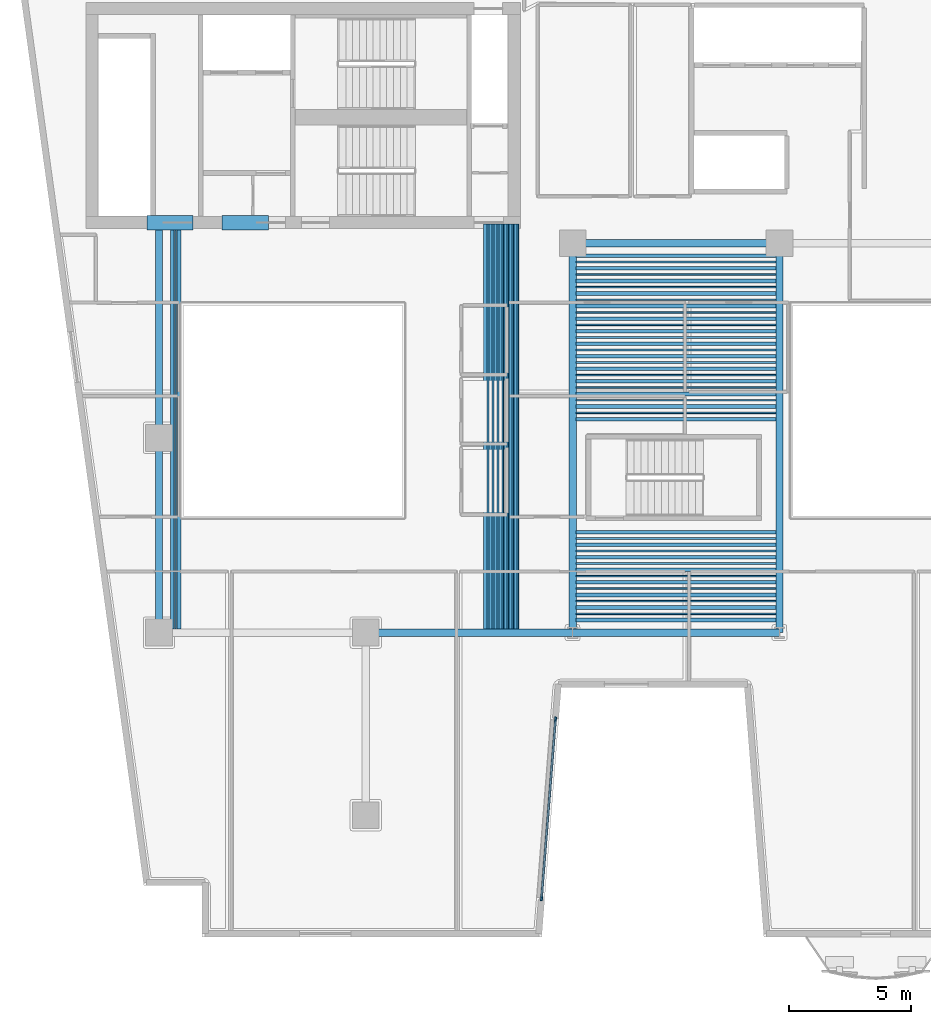
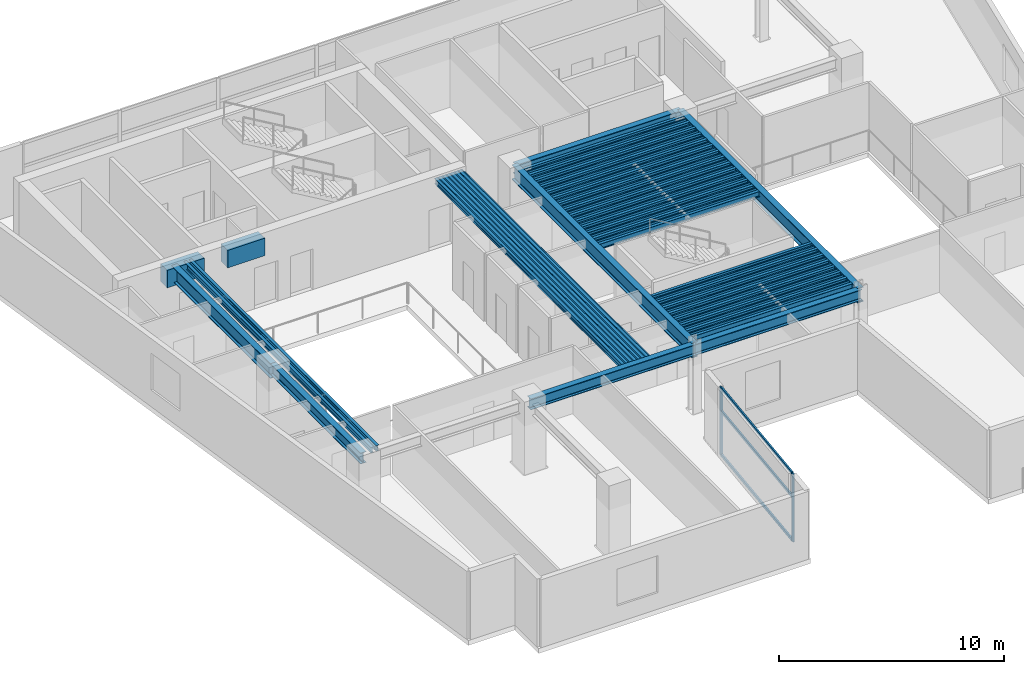
# One storey, part 2 of 13: 68 beams, 5 members, 1 element without a shape of its own.
"""IFC4 building model written with IfcOpenShell, lengths in metres."""

import ifcopenshell
import ifcopenshell.guid

model = None  # the IFC model being written
_history = None  # IfcOwnerHistory: only IFC2X3 demands one
_inside = {}  # id of a spatial element -> (the spatial element, [elements in it])
_under = {}  # id of a project, library or spatial element -> (it, [spatial elements below it])
_declared = {}  # id of a project -> (the project, [libraries it declares])
_typed = {}  # id of a type object -> (the type object, [elements of that type])
_made_of = {}  # id of a material, layer set ... -> (it, [elements and type objects made of it])


def new_model(schema):
    """Start an empty IFC model of exactly this schema.

    Asked for "IFC4X3", IfcOpenShell would pick the latest addendum, in which some entities
    have other attributes; the version numbers below select the first issue.
    IFC2X3 requires an IfcOwnerHistory on every rooted entity: one is made here for all.
    """
    global model, _history
    if schema == "IFC4X3":
        model = ifcopenshell.file(schema_version=(4, 3, 0, 0))
    else:
        model = ifcopenshell.file(schema=schema)
    _inside.clear()
    _under.clear()
    _declared.clear()
    _typed.clear()
    _made_of.clear()
    _history = None
    if model.schema == "IFC2X3":
        org = make("IfcOrganization", Name="unknown")
        user = make(
            "IfcPersonAndOrganization",
            ThePerson=make("IfcPerson", FamilyName="unknown"),
            TheOrganization=org,
        )
        app = make(
            "IfcApplication",
            ApplicationDeveloper=org,
            Version="unknown",
            ApplicationFullName="unknown",
            ApplicationIdentifier="unknown",
        )
        _history = make(
            "IfcOwnerHistory",
            OwningUser=user,
            OwningApplication=app,
            ChangeAction="ADDED",
            CreationDate=0,
        )
    return model


def make(cls, **values):
    """One entity of the class cls with the attributes given. An attribute that is None is left unset."""
    return model.create_entity(
        cls, **{name: value for name, value in values.items() if value is not None}
    )


def rooted(cls, **values):
    """An entity with a GlobalId (a new one), such as an element, a storey or a relation."""
    return make(cls, GlobalId=ifcopenshell.guid.new(), OwnerHistory=_history, **values)


def si_unit(unit_type, name, prefix=None):
    """IfcSIUnit, for example si_unit("LENGTHUNIT", "METRE", prefix="MILLI")."""
    return make("IfcSIUnit", UnitType=unit_type, Prefix=prefix, Name=name)


def assignment(units):
    """IfcUnitAssignment: the units of a project."""
    return None if units is None else make("IfcUnitAssignment", Units=units)


def point(xyz):
    """IfcCartesianPoint."""
    return None if xyz is None else make("IfcCartesianPoint", Coordinates=xyz)


def direction(xyz):
    """IfcDirection."""
    return None if xyz is None else make("IfcDirection", DirectionRatios=xyz)


def frame(location, z_axis=None, x_axis=None):
    """IfcAxis2Placement3D, a coordinate frame: its origin and axes. An axis left out is left unset."""
    return make(
        "IfcAxis2Placement3D",
        Location=point(location),
        Axis=direction(z_axis),
        RefDirection=direction(x_axis),
    )


def frame_2d(location, x_axis=None):
    """IfcAxis2Placement2D, a coordinate frame in the plane: its origin and x axis."""
    return make(
        "IfcAxis2Placement2D", Location=point(location), RefDirection=direction(x_axis)
    )


def origin():
    """The frame at (0, 0, 0) with its axes left unset."""
    return frame((0.0, 0.0, 0.0))


def origin_2d():
    """The frame at (0, 0) in the plane with its x axis left unset."""
    return frame_2d((0.0, 0.0))


def place(relative_to, where):
    """IfcLocalPlacement: puts the frame where relative to a parent placement (None: the world)."""
    return make(
        "IfcLocalPlacement", PlacementRelTo=relative_to, RelativePlacement=where
    )


def context(
    kind, dimensions, precision=None, world=None, true_north=None, identifier=None
):
    """IfcGeometricRepresentationContext, for example the 3D "Model" context."""
    return make(
        "IfcGeometricRepresentationContext",
        ContextIdentifier=identifier,
        ContextType=kind,
        CoordinateSpaceDimension=dimensions,
        Precision=precision,
        WorldCoordinateSystem=world,
        TrueNorth=true_north,
    )


def subcontext(parent, identifier, kind, view, scale=None):
    """IfcGeometricRepresentationSubContext, for example "Body" below "Model"."""
    return make(
        "IfcGeometricRepresentationSubContext",
        ContextIdentifier=identifier,
        ContextType=kind,
        ParentContext=parent,
        TargetScale=scale,
        TargetView=view,
    )


def project(units=None, contexts=None):
    """IfcProject with its units and contexts."""
    return rooted(
        "IfcProject",
        Name="project",
        RepresentationContexts=contexts,
        UnitsInContext=assignment(units),
    )


def spatial(cls, under=None, at=None, **own):
    """A site, building, storey or space (cls), placed at a placement, below another one or the project."""
    s = rooted(cls, ObjectPlacement=at, **own)
    if under is not None:
        _under.setdefault(under.id(), (under, []))[1].append(s)
    return s


def profile(cls, at=None, kind="AREA", **sizes):
    """A parametric profile (cls). Its sizes go by their IFC names, for example OverallWidth=200.0."""
    return make(cls, ProfileType=kind, Position=at, **sizes)


def rectangle(**sizes):
    """IfcRectangleProfileDef."""
    return profile("IfcRectangleProfileDef", **sizes)


def hollow_rectangle(**sizes):
    """IfcRectangleHollowProfileDef."""
    return profile("IfcRectangleHollowProfileDef", **sizes)


def i_section(**sizes):
    """IfcIShapeProfileDef."""
    return profile("IfcIShapeProfileDef", **sizes)


def extrude(swept, where, along, depth):
    """IfcExtrudedAreaSolid: the profile swept, set in the frame where, extruded along a direction by depth."""
    return make(
        "IfcExtrudedAreaSolid",
        SweptArea=swept,
        Position=where,
        ExtrudedDirection=direction(along),
        Depth=depth,
    )


def shape(context_of_items, identifier, shape_type, items):
    """IfcShapeRepresentation: the items that make up one representation, for example the "Body"."""
    return make(
        "IfcShapeRepresentation",
        ContextOfItems=context_of_items,
        RepresentationIdentifier=identifier,
        RepresentationType=shape_type,
        Items=items,
    )


def material(Name=None, Category=None):
    """IfcMaterial."""
    return make("IfcMaterial", Name=Name, Category=Category)


def layer(
    of_material, thickness, ventilated=None, Name=None, Category=None, Priority=None
):
    """IfcMaterialLayer: one layer of a wall or slab, of a material (None: an air gap)."""
    return make(
        "IfcMaterialLayer",
        Material=of_material,
        LayerThickness=thickness,
        IsVentilated=ventilated,
        Name=Name,
        Category=Category,
        Priority=Priority,
    )


def layer_set(layers, Name=None):
    """IfcMaterialLayerSet."""
    return make("IfcMaterialLayerSet", MaterialLayers=layers, LayerSetName=Name)


def material_profile(
    of_material, cross_section, Name=None, Category=None, Priority=None
):
    """IfcMaterialProfile: a cross section and its material."""
    return make(
        "IfcMaterialProfile",
        Name=Name,
        Material=of_material,
        Profile=cross_section,
        Priority=Priority,
        Category=Category,
    )


def profile_set(profiles, Name=None, composite=None):
    """IfcMaterialProfileSet."""
    return make(
        "IfcMaterialProfileSet",
        Name=Name,
        MaterialProfiles=profiles,
        CompositeProfile=composite,
    )


def made_of(thing, what):
    """Note that an element or type object is made of a material, layer set ...; save() writes the relation."""
    if what is not None:
        _made_of.setdefault(what.id(), (what, []))[1].append(thing)
    return thing


def type_object(cls, material=None, **own):
    """A type object (cls), such as IfcWallType, which elements share."""
    return made_of(rooted(cls, **own), material)


def element(
    cls,
    number,
    at=None,
    inside=None,
    cuts=None,
    type_object=None,
    material=None,
    context=None,
    identifier="Body",
    shape_type=None,
    held_by="IfcProductDefinitionShape",
    body=None,
    shapes=None,
    **own,
):
    """One element of the class cls, such as IfcWall. Its Tag is "e" and its number.

    at: its placement. inside: the storey or other place that contains it. cuts: it is an
    opening in that element (IfcRelVoidsElement). A single representation is given by context,
    identifier, shape_type and body (its items); several are given by shapes. held_by: the class
    of the entity that holds the representations. save() writes the other relations.
    """
    e = rooted(cls, Tag="e%d" % number, ObjectPlacement=at, **own)
    if body is not None:
        shapes = [shape(context, identifier, shape_type, body)]
    if shapes is not None:
        e.Representation = make(held_by, Representations=shapes)
    if inside is not None:
        _inside.setdefault(inside.id(), (inside, []))[1].append(e)
    if cuts is not None:
        rooted(
            "IfcRelVoidsElement", RelatingBuildingElement=cuts, RelatedOpeningElement=e
        )
    if type_object is not None:
        _typed.setdefault(type_object.id(), (type_object, []))[1].append(e)
    return made_of(e, material)


def aggregate(whole, parts):
    """IfcRelAggregates: a whole, such as a stair, and the parts it consists of."""
    return rooted("IfcRelAggregates", RelatingObject=whole, RelatedObjects=parts)


def save(model, path):
    """Write the relations noted so far, then the file.

    IfcRelAggregates (storeys below a building ...), IfcRelContainedInSpatialStructure (elements
    in a storey), IfcRelDefinesByType, IfcRelAssociatesMaterial and IfcRelDeclares: one each for
    every whole, place, type object, material and project.
    """
    for whole, parts in _under.values():
        aggregate(whole, parts)
    for where, things in _inside.values():
        rooted(
            "IfcRelContainedInSpatialStructure",
            RelatedElements=things,
            RelatingStructure=where,
        )
    for kind, things in _typed.values():
        rooted("IfcRelDefinesByType", RelatedObjects=things, RelatingType=kind)
    for what, things in _made_of.values():
        rooted("IfcRelAssociatesMaterial", RelatedObjects=things, RelatingMaterial=what)
    for by, libraries in _declared.values():
        rooted("IfcRelDeclares", RelatingContext=by, RelatedDefinitions=libraries)
    model.write(path)


model = new_model("IFC4")

# Units and contexts
model_context = context("Model", 3, precision=1e-05, world=origin(), true_north=direction((0.0, 1.0)))
body_context = subcontext(model_context, "Body", "Model", "MODEL_VIEW")
ifc_project = project(units=[si_unit("LENGTHUNIT", "METRE"), si_unit("AREAUNIT", "SQUARE_METRE"), si_unit("VOLUMEUNIT", "CUBIC_METRE"), si_unit("PLANEANGLEUNIT", "RADIAN"), si_unit("MASSUNIT", "GRAM", prefix="KILO")], contexts=[model_context])

# Site, building, storey
site_placement = place(None, origin())
site = spatial("IfcSite", under=ifc_project, at=site_placement, CompositionType="ELEMENT")
building_placement = place(site_placement, origin())
building = spatial("IfcBuilding", under=site, at=building_placement, Name="Caeloran Harvest Quay", CompositionType="ELEMENT")
storey_placement = place(building_placement, frame((0.0, 0.0, 158.800048828125)))
storey = spatial("IfcBuildingStorey", under=building, at=storey_placement, Name="L37", CompositionType="ELEMENT", Elevation=158.800048828125)

# Beams
ifc_material_1 = material(Name="Concrete C60/75", Category="concrete")
ifc_material_profile_1 = material_profile(ifc_material_1, rectangle(XDim=0.60009765625, YDim=0.949951171875, at=origin_2d()), Name="RC 600x950")
ifc_profile_set_1 = profile_set([ifc_material_profile_1], Name="Concrete C60/75")
beam_type_1 = type_object("IfcBeamType", Name="BM-CB-2-RC_600x950", PredefinedType="LINTEL", material=ifc_profile_set_1)
for number, where, z_axis, x_axis, name in (
    (1, (8.0, 31.85009765625, 3.21484375), (1.0, 0.0, 0.0), (0.0, 1.0, 0.0), "L37 Core Coupling Beam 1"),
    (2, (11.10009765625, 31.85009765625, 3.21484375), (1.0, 0.0, 0.0), (0.0, 1.0, 0.0), "L37 Core Coupling Beam 2"),
):
    element("IfcBeam", number, at=place(storey_placement, frame(where, z_axis=z_axis, x_axis=x_axis)), inside=storey, type_object=beam_type_1, Name=name, PredefinedType="LINTEL", context=body_context, shape_type="SweptSolid", body=[
        extrude(rectangle(XDim=0.60009765625, YDim=0.949951171875, at=origin_2d()), origin(), (0.0, 0.0, 1.0), 1.89990234375),
    ])
ifc_material_2 = material(Name="Steel S355J2", Category="steel")
ifc_material_profile_2 = material_profile(ifc_material_2, i_section(OverallWidth=0.300048828125, OverallDepth=0.800048828125, WebThickness=0.017578125, FlangeThickness=0.032958984375, FilletRadius=0.030029296875, at=origin_2d()), Name="HE 800 B")
ifc_profile_set_2 = profile_set([ifc_material_profile_2], Name="Steel S355J2")
beam_type_2 = type_object("IfcBeamType", Name="BM-PG-1-HE_800_B", PredefinedType="BEAM", material=ifc_profile_set_2)
beam_1_placement = place(storey_placement, frame((8.5, 23.0, 3.2900390625), z_axis=(0.0, 1.0, 0.0), x_axis=(-1.0, 0.0, 0.0)))
element("IfcBeam", 3, at=beam_1_placement, inside=storey, type_object=beam_type_2, Name="L37 Core South Tie Girder X=8.5", PredefinedType="BEAM", context=body_context, shape_type="SweptSolid", body=[
    extrude(i_section(OverallWidth=0.300048828125, OverallDepth=0.800048828125, WebThickness=0.017578125, FlangeThickness=0.032958984375, FilletRadius=0.030029296875, at=origin_2d()), origin(), (0.0, 0.0, 1.0), 8.800048828125),
])
for number, where, z_axis, x_axis, name in (
    (4, (25.5, 15.0, 3.2900390625), (0.0, 1.0, 0.0), (-1.0, 0.0, 0.0), "L37 Primary North-South Girder X=25.5"),
    (5, (34.0, 15.0, 3.2900390625), (0.0, 1.0, 0.0), (-1.0, 0.0, 0.0), "L37 Primary North-South Girder X=34.0"),
):
    element("IfcBeam", number, at=place(storey_placement, frame(where, z_axis=z_axis, x_axis=x_axis)), inside=storey, type_object=beam_type_2, Name=name, PredefinedType="BEAM", context=body_context, shape_type="SweptSolid", body=[
        extrude(i_section(OverallWidth=0.300048828125, OverallDepth=0.800048828125, WebThickness=0.017578125, FlangeThickness=0.032958984375, FilletRadius=0.030029296875, at=origin_2d()), origin(), (0.0, 0.0, 1.0), 16.0),
    ])
ifc_material_profile_3 = material_profile(ifc_material_2, i_section(OverallWidth=0.300048828125, OverallDepth=0.60009765625, WebThickness=0.015380859375, FlangeThickness=0.030029296875, FilletRadius=0.027099609375, at=origin_2d()), Name="HE 600 B")
ifc_profile_set_3 = profile_set([ifc_material_profile_3], Name="Steel S355J2")
beam_type_3 = type_object("IfcBeamType", Name="BM-PG-3-HE_600_B", PredefinedType="BEAM", material=ifc_profile_set_3)
for number, where, z_axis, x_axis, name in (
    (6, (17.0, 15.0, 3.389892578125), (1.0, 0.0, 0.0), (0.0, 1.0, 0.0), "L37 Primary East-West Girder Y=15.0"),
    (7, (25.5, 15.0, 3.389892578125), (1.0, 0.0, 0.0), (0.0, 1.0, 0.0), "L37 Primary East-West Girder Y=15.0"),
    (8, (25.5, 31.0, 3.389892578125), (1.0, 0.0, 0.0), (0.0, 1.0, 0.0), "L37 Primary East-West Girder Y=31.0"),
):
    element("IfcBeam", number, at=place(storey_placement, frame(where, z_axis=z_axis, x_axis=x_axis)), inside=storey, type_object=beam_type_3, Name=name, PredefinedType="BEAM", context=body_context, shape_type="SweptSolid", body=[
        extrude(i_section(OverallWidth=0.300048828125, OverallDepth=0.60009765625, WebThickness=0.015380859375, FlangeThickness=0.030029296875, FilletRadius=0.027099609375, at=origin_2d()), origin(), (0.0, 0.0, 1.0), 8.5),
    ])
beam_2_placement = place(storey_placement, frame((8.5, 15.0, 3.389892578125), z_axis=(0.0, 1.0, 0.0), x_axis=(-1.0, 0.0, 0.0)))
element("IfcBeam", 9, at=beam_2_placement, inside=storey, type_object=beam_type_3, Name="L37 Primary North-South Girder X=8.5", PredefinedType="BEAM", context=body_context, shape_type="SweptSolid", body=[
    extrude(i_section(OverallWidth=0.300048828125, OverallDepth=0.60009765625, WebThickness=0.015380859375, FlangeThickness=0.030029296875, FilletRadius=0.027099609375, at=origin_2d()), origin(), (0.0, 0.0, 1.0), 8.0),
])
ifc_material_profile_4 = material_profile(ifc_material_2, i_section(OverallWidth=0.14990234375, OverallDepth=0.300048828125, WebThickness=0.007080078125, FlangeThickness=0.0107421875, FilletRadius=0.014892578125, at=origin_2d()), Name="IPE 300")
ifc_profile_set_4 = profile_set([ifc_material_profile_4], Name="Steel S355J2")
beam_type_4 = type_object("IfcBeamType", Name="BM-SB-6-IPE_300", PredefinedType="JOIST", material=ifc_profile_set_4)
for number, where, z_axis, x_axis, name in (
    (10, (9.04833984375, 15.14501953125, 3.5400390625), (0.0, 1.0, 0.0), (-1.0, 0.0, 0.0), "L37 Secondary Composite Joist"),
    (11, (9.322509765625, 15.14501953125, 3.5400390625), (0.0, 1.0, 0.0), (-1.0, 0.0, 0.0), "L37 Secondary Composite Joist"),
    (12, (21.916015625, 15.14501953125, 3.5400390625), (0.0, 1.0, 0.0), (-1.0, 0.0, 0.0), "L37 Secondary Composite Joist"),
    (13, (22.12109375, 15.14501953125, 3.5400390625), (0.0, 1.0, 0.0), (-1.0, 0.0, 0.0), "L37 Secondary Composite Joist"),
    (14, (22.32568359375, 15.14501953125, 3.5400390625), (0.0, 1.0, 0.0), (-1.0, 0.0, 0.0), "L37 Secondary Composite Joist"),
    (15, (22.530517578125, 15.14501953125, 3.5400390625), (0.0, 1.0, 0.0), (-1.0, 0.0, 0.0), "L37 Secondary Composite Joist"),
    (16, (22.735595703125, 15.14501953125, 3.5400390625), (0.0, 1.0, 0.0), (-1.0, 0.0, 0.0), "L37 Secondary Composite Joist"),
    (17, (22.940185546875, 15.14501953125, 3.5400390625), (0.0, 1.0, 0.0), (-1.0, 0.0, 0.0), "L37 Secondary Composite Joist"),
    (18, (23.145263671875, 15.14501953125, 3.5400390625), (0.0, 1.0, 0.0), (-1.0, 0.0, 0.0), "L37 Secondary Composite Joist"),
):
    element("IfcBeam", number, at=place(storey_placement, frame(where, z_axis=z_axis, x_axis=x_axis)), inside=storey, type_object=beam_type_4, Name=name, PredefinedType="JOIST", context=body_context, shape_type="SweptSolid", body=[
        extrude(i_section(OverallWidth=0.14990234375, OverallDepth=0.300048828125, WebThickness=0.007080078125, FlangeThickness=0.0107421875, FilletRadius=0.014892578125, at=origin_2d()), origin(), (0.0, 0.0, 1.0), 16.655029296875),
    ])
for number, where, z_axis, x_axis, name in (
    (19, (25.64501953125, 15.51611328125, 3.5400390625), (1.0, 0.0, 0.0), (0.0, 1.0, 0.0), "L37 Secondary East-West Composite Joist"),
    (20, (25.64501953125, 16.0322265625, 3.5400390625), (1.0, 0.0, 0.0), (0.0, 1.0, 0.0), "L37 Secondary East-West Composite Joist"),
    (21, (25.64501953125, 16.54833984375, 3.5400390625), (1.0, 0.0, 0.0), (0.0, 1.0, 0.0), "L37 Secondary East-West Composite Joist"),
    (22, (25.64501953125, 17.064453125, 3.5400390625), (1.0, 0.0, 0.0), (0.0, 1.0, 0.0), "L37 Secondary East-West Composite Joist"),
    (23, (25.64501953125, 17.58056640625, 3.5400390625), (1.0, 0.0, 0.0), (0.0, 1.0, 0.0), "L37 Secondary East-West Composite Joist"),
    (24, (25.64501953125, 18.0966796875, 3.5400390625), (1.0, 0.0, 0.0), (0.0, 1.0, 0.0), "L37 Secondary East-West Composite Joist"),
    (25, (25.64501953125, 18.61279296875, 3.5400390625), (1.0, 0.0, 0.0), (0.0, 1.0, 0.0), "L37 Secondary East-West Composite Joist"),
    (26, (25.64501953125, 19.12890625, 3.5400390625), (1.0, 0.0, 0.0), (0.0, 1.0, 0.0), "L37 Secondary East-West Composite Joist"),
    (27, (25.64501953125, 23.774169921875, 3.5400390625), (1.0, 0.0, 0.0), (0.0, 1.0, 0.0), "L37 Secondary East-West Composite Joist"),
    (28, (25.64501953125, 24.290283203125, 3.5400390625), (1.0, 0.0, 0.0), (0.0, 1.0, 0.0), "L37 Secondary East-West Composite Joist"),
    (29, (25.64501953125, 24.806396484375, 3.5400390625), (1.0, 0.0, 0.0), (0.0, 1.0, 0.0), "L37 Secondary East-West Composite Joist"),
    (30, (25.64501953125, 25.322509765625, 3.5400390625), (1.0, 0.0, 0.0), (0.0, 1.0, 0.0), "L37 Secondary East-West Composite Joist"),
    (31, (25.64501953125, 25.838623046875, 3.5400390625), (1.0, 0.0, 0.0), (0.0, 1.0, 0.0), "L37 Secondary East-West Composite Joist"),
    (32, (25.64501953125, 26.354736328125, 3.5400390625), (1.0, 0.0, 0.0), (0.0, 1.0, 0.0), "L37 Secondary East-West Composite Joist"),
    (33, (25.64501953125, 26.87109375, 3.5400390625), (1.0, 0.0, 0.0), (0.0, 1.0, 0.0), "L37 Secondary East-West Composite Joist"),
    (34, (25.64501953125, 27.38720703125, 3.5400390625), (1.0, 0.0, 0.0), (0.0, 1.0, 0.0), "L37 Secondary East-West Composite Joist"),
    (35, (25.64501953125, 27.9033203125, 3.5400390625), (1.0, 0.0, 0.0), (0.0, 1.0, 0.0), "L37 Secondary East-West Composite Joist"),
    (36, (25.64501953125, 28.41943359375, 3.5400390625), (1.0, 0.0, 0.0), (0.0, 1.0, 0.0), "L37 Secondary East-West Composite Joist"),
    (37, (25.64501953125, 28.935546875, 3.5400390625), (1.0, 0.0, 0.0), (0.0, 1.0, 0.0), "L37 Secondary East-West Composite Joist"),
    (38, (25.64501953125, 29.45166015625, 3.5400390625), (1.0, 0.0, 0.0), (0.0, 1.0, 0.0), "L37 Secondary East-West Composite Joist"),
    (39, (25.64501953125, 29.9677734375, 3.5400390625), (1.0, 0.0, 0.0), (0.0, 1.0, 0.0), "L37 Secondary East-West Composite Joist"),
    (40, (25.64501953125, 30.48388671875, 3.5400390625), (1.0, 0.0, 0.0), (0.0, 1.0, 0.0), "L37 Secondary East-West Composite Joist"),
):
    element("IfcBeam", number, at=place(storey_placement, frame(where, z_axis=z_axis, x_axis=x_axis)), inside=storey, type_object=beam_type_4, Name=name, PredefinedType="JOIST", context=body_context, shape_type="SweptSolid", body=[
        extrude(i_section(OverallWidth=0.14990234375, OverallDepth=0.300048828125, WebThickness=0.007080078125, FlangeThickness=0.0107421875, FilletRadius=0.014892578125, at=origin_2d()), origin(), (0.0, 0.0, 1.0), 8.2099609375),
    ])
ifc_material_profile_5 = material_profile(ifc_material_2, hollow_rectangle(XDim=0.080078125, YDim=0.199951171875, WallThickness=0.006103515625, InnerFilletRadius=0.006103515625, OuterFilletRadius=0.009033203125, at=origin_2d()), Name="RHS 200x80x6")
ifc_profile_set_5 = profile_set([ifc_material_profile_5], Name="Steel S355J2")
beam_type_5 = type_object("IfcBeamType", Name="BM-SB-7-RHS_200x80x6", PredefinedType="JOIST", material=ifc_profile_set_5)
for number, where, z_axis, x_axis, name in (
    (41, (9.185546875, 15.14501953125, 3.58984375), (0.0, 1.0, 0.0), (-1.0, 0.0, 0.0), "L37 Secondary Composite Joist"),
    (42, (22.0185546875, 15.14501953125, 3.58984375), (0.0, 1.0, 0.0), (-1.0, 0.0, 0.0), "L37 Secondary Composite Joist"),
    (43, (22.223388671875, 15.14501953125, 3.58984375), (0.0, 1.0, 0.0), (-1.0, 0.0, 0.0), "L37 Secondary Composite Joist"),
    (44, (22.42822265625, 15.14501953125, 3.58984375), (0.0, 1.0, 0.0), (-1.0, 0.0, 0.0), "L37 Secondary Composite Joist"),
    (45, (22.633056640625, 15.14501953125, 3.58984375), (0.0, 1.0, 0.0), (-1.0, 0.0, 0.0), "L37 Secondary Composite Joist"),
    (46, (22.837890625, 15.14501953125, 3.58984375), (0.0, 1.0, 0.0), (-1.0, 0.0, 0.0), "L37 Secondary Composite Joist"),
    (47, (23.042724609375, 15.14501953125, 3.58984375), (0.0, 1.0, 0.0), (-1.0, 0.0, 0.0), "L37 Secondary Composite Joist"),
    (48, (23.24755859375, 15.14501953125, 3.58984375), (0.0, 1.0, 0.0), (-1.0, 0.0, 0.0), "L37 Secondary Composite Joist"),
):
    element("IfcBeam", number, at=place(storey_placement, frame(where, z_axis=z_axis, x_axis=x_axis)), inside=storey, type_object=beam_type_5, Name=name, PredefinedType="JOIST", context=body_context, shape_type="SweptSolid", body=[
        extrude(hollow_rectangle(XDim=0.080078125, YDim=0.199951171875, WallThickness=0.006103515625, InnerFilletRadius=0.006103515625, OuterFilletRadius=0.009033203125, at=origin_2d()), origin(), (0.0, 0.0, 1.0), 16.655029296875),
    ])
for number, where, z_axis, x_axis, name in (
    (49, (25.64501953125, 15.774169921875, 3.58984375), (1.0, 0.0, 0.0), (0.0, 1.0, 0.0), "L37 Secondary East-West Composite Joist"),
    (50, (25.64501953125, 16.290283203125, 3.58984375), (1.0, 0.0, 0.0), (0.0, 1.0, 0.0), "L37 Secondary East-West Composite Joist"),
    (51, (25.64501953125, 16.806396484375, 3.58984375), (1.0, 0.0, 0.0), (0.0, 1.0, 0.0), "L37 Secondary East-West Composite Joist"),
    (52, (25.64501953125, 17.322509765625, 3.58984375), (1.0, 0.0, 0.0), (0.0, 1.0, 0.0), "L37 Secondary East-West Composite Joist"),
    (53, (25.64501953125, 17.838623046875, 3.58984375), (1.0, 0.0, 0.0), (0.0, 1.0, 0.0), "L37 Secondary East-West Composite Joist"),
    (54, (25.64501953125, 18.354736328125, 3.58984375), (1.0, 0.0, 0.0), (0.0, 1.0, 0.0), "L37 Secondary East-West Composite Joist"),
    (55, (25.64501953125, 18.87109375, 3.58984375), (1.0, 0.0, 0.0), (0.0, 1.0, 0.0), "L37 Secondary East-West Composite Joist"),
    (56, (25.64501953125, 24.0322265625, 3.58984375), (1.0, 0.0, 0.0), (0.0, 1.0, 0.0), "L37 Secondary East-West Composite Joist"),
    (57, (25.64501953125, 24.54833984375, 3.58984375), (1.0, 0.0, 0.0), (0.0, 1.0, 0.0), "L37 Secondary East-West Composite Joist"),
    (58, (25.64501953125, 25.064453125, 3.58984375), (1.0, 0.0, 0.0), (0.0, 1.0, 0.0), "L37 Secondary East-West Composite Joist"),
    (59, (25.64501953125, 25.58056640625, 3.58984375), (1.0, 0.0, 0.0), (0.0, 1.0, 0.0), "L37 Secondary East-West Composite Joist"),
    (60, (25.64501953125, 26.0966796875, 3.58984375), (1.0, 0.0, 0.0), (0.0, 1.0, 0.0), "L37 Secondary East-West Composite Joist"),
    (61, (25.64501953125, 26.61279296875, 3.58984375), (1.0, 0.0, 0.0), (0.0, 1.0, 0.0), "L37 Secondary East-West Composite Joist"),
    (62, (25.64501953125, 27.12890625, 3.58984375), (1.0, 0.0, 0.0), (0.0, 1.0, 0.0), "L37 Secondary East-West Composite Joist"),
    (63, (25.64501953125, 27.645263671875, 3.58984375), (1.0, 0.0, 0.0), (0.0, 1.0, 0.0), "L37 Secondary East-West Composite Joist"),
    (64, (25.64501953125, 28.161376953125, 3.58984375), (1.0, 0.0, 0.0), (0.0, 1.0, 0.0), "L37 Secondary East-West Composite Joist"),
    (65, (25.64501953125, 28.677490234375, 3.58984375), (1.0, 0.0, 0.0), (0.0, 1.0, 0.0), "L37 Secondary East-West Composite Joist"),
    (66, (25.64501953125, 29.193603515625, 3.58984375), (1.0, 0.0, 0.0), (0.0, 1.0, 0.0), "L37 Secondary East-West Composite Joist"),
    (67, (25.64501953125, 29.709716796875, 3.58984375), (1.0, 0.0, 0.0), (0.0, 1.0, 0.0), "L37 Secondary East-West Composite Joist"),
    (68, (25.64501953125, 30.225830078125, 3.58984375), (1.0, 0.0, 0.0), (0.0, 1.0, 0.0), "L37 Secondary East-West Composite Joist"),
):
    element("IfcBeam", number, at=place(storey_placement, frame(where, z_axis=z_axis, x_axis=x_axis)), inside=storey, type_object=beam_type_5, Name=name, PredefinedType="JOIST", context=body_context, shape_type="SweptSolid", body=[
        extrude(hollow_rectangle(XDim=0.080078125, YDim=0.199951171875, WallThickness=0.006103515625, InnerFilletRadius=0.006103515625, OuterFilletRadius=0.009033203125, at=origin_2d()), origin(), (0.0, 0.0, 1.0), 8.2099609375),
    ])

# Curtain wall, members
ifc_material_3 = material(Name="Aluminium 6063-T6 and Low-E Glazing", Category="aluminium")
ifc_layer = layer(ifc_material_3, 0.22998046875, Name="Aluminium 6063-T6 and Low-E Glazing")
ifc_layer_set = layer_set([ifc_layer], Name="Aluminium 6063-T6 and Low-E Glazing")
curtain_wall_type = type_object("IfcCurtainWallType", Name="CW-SYS-CW-6", PredefinedType="USERDEFINED", material=ifc_layer_set)
curtain_wall_placement = place(storey_placement, origin())
curtain_wall = element("IfcCurtainWall", 69, at=curtain_wall_placement, inside=storey, type_object=curtain_wall_type, Name="L37 Unitised Curtain Wall CW-6 Run 15", ObjectType="CURTAIN_WALL", PredefinedType="USERDEFINED")
ifc_material_4 = material(Name="Aluminium 6063-T6", Category="aluminium")
ifc_material_profile_6 = material_profile(ifc_material_4, rectangle(XDim=0.080078125, YDim=0.179931640625, at=origin_2d()), Name="CW-MULLION-180")
ifc_profile_set_6 = profile_set([ifc_material_profile_6], Name="Aluminium 6063-T6")
member_type_1 = type_object("IfcMemberType", Name="CW-MULLION-180", PredefinedType="MULLION", material=ifc_profile_set_6)
member_1_placement = place(storey_placement, frame((24.7978515625, 11.4443359375, 0.0), z_axis=(0.0, 0.0, 1.0), x_axis=(0.996967280277, -0.077821861046, 0.0)))
member_1 = element("IfcMember", 70, at=member_1_placement, type_object=member_type_1, Name="CW-6 mullion 1", PredefinedType="MULLION", context=body_context, shape_type="SweptSolid", body=[
    extrude(rectangle(XDim=0.080078125, YDim=0.179931640625, at=origin_2d()), origin(), (0.0, 0.0, 1.0), 3.68994140625),
])
member_2_placement = place(storey_placement, frame((24.221923828125, 4.065673828125, 0.0), z_axis=(0.0, 0.0, 1.0), x_axis=(0.996967280277, -0.077821861046, 0.0)))
member_2 = element("IfcMember", 71, at=member_2_placement, type_object=member_type_1, Name="CW-6 mullion 2", PredefinedType="MULLION", context=body_context, shape_type="SweptSolid", body=[
    extrude(rectangle(XDim=0.080078125, YDim=0.179931640625, at=origin_2d()), origin(), (0.0, 0.0, 1.0), 3.68994140625),
])
ifc_material_profile_7 = material_profile(ifc_material_4, rectangle(XDim=0.080078125, YDim=0.14990234375, at=origin_2d()), Name="CW-TRANSOM-150")
ifc_profile_set_7 = profile_set([ifc_material_profile_7], Name="Aluminium 6063-T6")
member_type_2 = type_object("IfcMemberType", Name="CW-TRANSOM-150", PredefinedType="USERDEFINED", material=ifc_profile_set_7)
member_3_placement = place(storey_placement, frame((24.794677734375, 11.404541015625, 0.0400390625), z_axis=(-0.077831218093, -0.996966549835, 0.0), x_axis=(0.996966549835, -0.077831218093, 0.0)))
member_3 = element("IfcMember", 72, at=member_3_placement, type_object=member_type_2, Name="CW-6 transom 1.1", ObjectType="TRANSOM", PredefinedType="USERDEFINED", context=body_context, shape_type="SweptSolid", body=[
    extrude(rectangle(XDim=0.080078125, YDim=0.14990234375, at=origin_2d()), origin(), (0.0, 0.0, 1.0), 7.3212890625),
])
member_4_placement = place(storey_placement, frame((24.794677734375, 11.404541015625, 2.39990234375), z_axis=(-0.077831218093, -0.996966549835, 0.0), x_axis=(0.996966549835, -0.077831218093, 0.0)))
member_4 = element("IfcMember", 73, at=member_4_placement, type_object=member_type_2, Name="CW-6 transom 1.2", ObjectType="TRANSOM", PredefinedType="USERDEFINED", context=body_context, shape_type="SweptSolid", body=[
    extrude(rectangle(XDim=0.080078125, YDim=0.14990234375, at=origin_2d()), origin(), (0.0, 0.0, 1.0), 7.3212890625),
])
member_5_placement = place(storey_placement, frame((24.794677734375, 11.404541015625, 3.64990234375), z_axis=(-0.077831218093, -0.996966549835, 0.0), x_axis=(0.996966549835, -0.077831218093, 0.0)))
member_5 = element("IfcMember", 74, at=member_5_placement, type_object=member_type_2, Name="CW-6 transom 1.3", ObjectType="TRANSOM", PredefinedType="USERDEFINED", context=body_context, shape_type="SweptSolid", body=[
    extrude(rectangle(XDim=0.080078125, YDim=0.14990234375, at=origin_2d()), origin(), (0.0, 0.0, 1.0), 7.3212890625),
])
aggregate(curtain_wall, [member_1, member_2, member_3, member_4, member_5])

save(model, "model.ifc")
